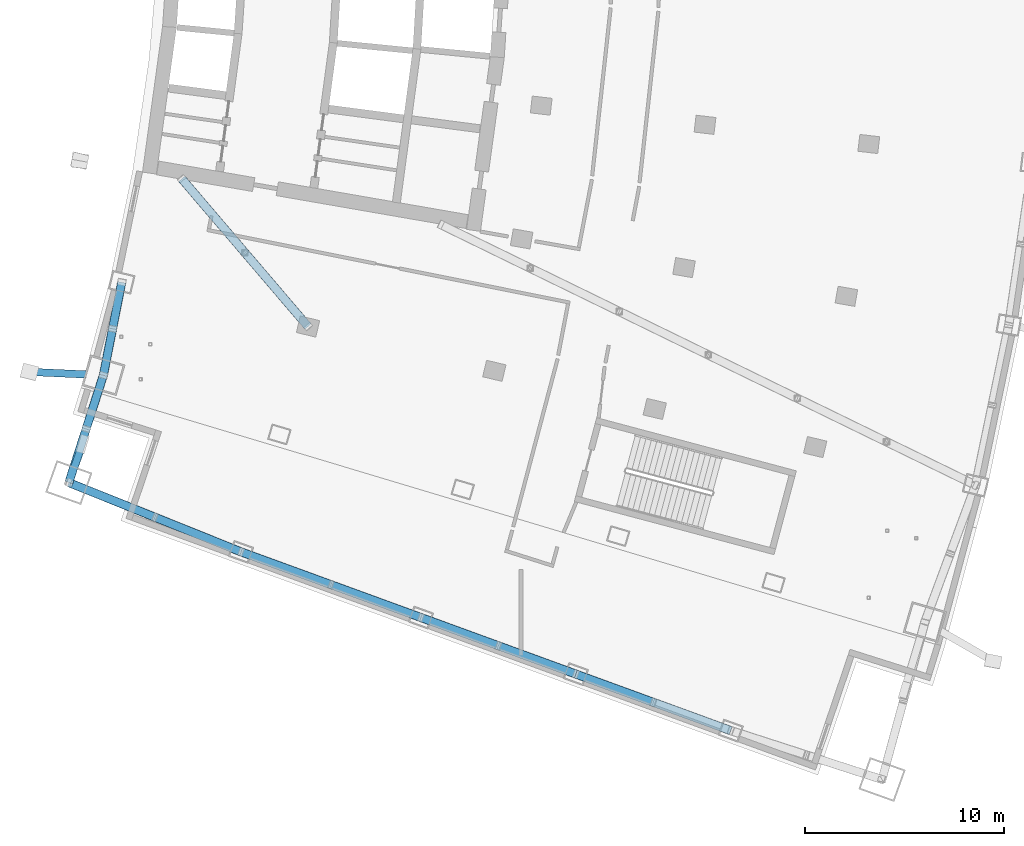
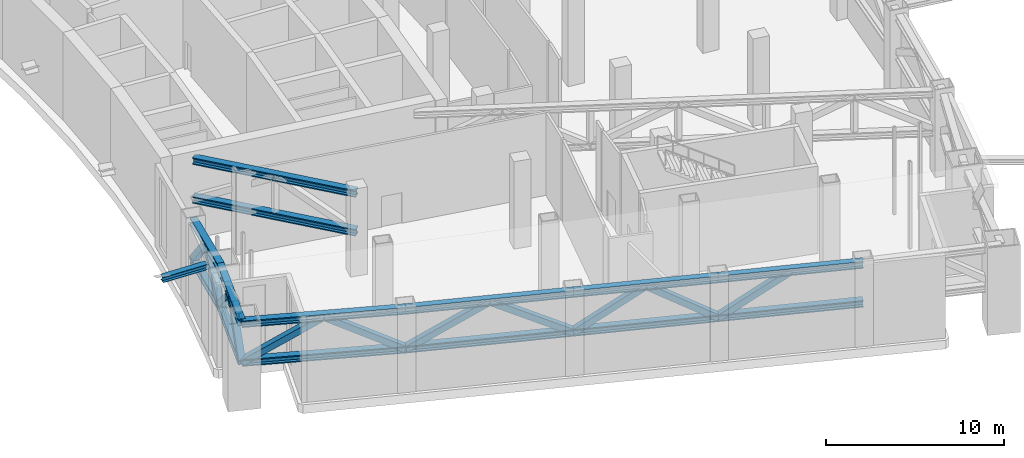
# One storey, part 9 of 26: 27 members.
"""IFC4 building model written with IfcOpenShell, lengths in metres."""

from ifc_helpers import new_model, si_unit, direction, frame, origin, origin_2d, place, context, subcontext, project, spatial, hollow_rectangle, i_section, extrude, material, material_profile, profile_set, type_object, element, save


model = new_model("IFC4")

# Units and contexts
model_context = context("Model", 3, precision=1e-05, world=origin(), true_north=direction((0.0, 1.0)))
body_context = subcontext(model_context, "Body", "Model", "MODEL_VIEW")
ifc_project = project(units=[si_unit("LENGTHUNIT", "METRE"), si_unit("AREAUNIT", "SQUARE_METRE"), si_unit("VOLUMEUNIT", "CUBIC_METRE"), si_unit("PLANEANGLEUNIT", "RADIAN"), si_unit("MASSUNIT", "GRAM", prefix="KILO")], contexts=[model_context])

# Site, building, storey
site_placement = place(None, origin())
site = spatial("IfcSite", under=ifc_project, at=site_placement, CompositionType="ELEMENT")
building_placement = place(site_placement, origin())
building = spatial("IfcBuilding", under=site, at=building_placement, Name="Alderwake Tower", CompositionType="ELEMENT")
storey_placement = place(building_placement, frame((0.0, 0.0, 132.800048828125)))
storey = spatial("IfcBuildingStorey", under=building, at=storey_placement, Name="L32", CompositionType="ELEMENT", Elevation=132.800048828125)

# Members
ifc_material_1 = material(Name="Steel ASTM A992 Grade 50", Category="steel")
ifc_material_profile_1 = material_profile(ifc_material_1, i_section(OverallWidth=0.42138671875, OverallDepth=0.464599609375, WebThickness=0.044921875, FlangeThickness=0.072265625, at=origin_2d()), Name="W14X398")
ifc_profile_set_1 = profile_set([ifc_material_profile_1], Name="Steel ASTM A992 Grade 50")
member_type_1 = type_object("IfcMemberType", Name="Belt truss chord W14X398", PredefinedType="CHORD", material=ifc_profile_set_1)
for number, where, z_axis, x_axis, name in (
    (1, (11.330810546875, 28.622802734375, 5.44775390625), (0.306491563168, 0.951873374828, 0.0), (-0.951873374828, 0.306491563168, 0.0), "Belt truss chord BT32R01.T"),
    (2, (11.330810546875, 28.622802734375, 2.7822265625), (0.306491563168, 0.951873374828, 0.0), (-0.951873374828, 0.306491563168, 0.0), "Belt truss chord BT32R01.B"),
):
    element("IfcMember", number, at=place(storey_placement, frame(where, z_axis=z_axis, x_axis=x_axis)), inside=storey, type_object=member_type_1, Name=name, PredefinedType="CHORD", context=body_context, shape_type="SweptSolid", body=[
        extrude(i_section(OverallWidth=0.42138671875, OverallDepth=0.464599609375, WebThickness=0.044921875, FlangeThickness=0.072265625, at=origin_2d()), origin(), (0.0, 0.0, 1.0), 5.651611328125),
    ])
for number, where, z_axis, x_axis, name in (
    (3, (13.06298828125, 34.00244140625, 5.44775390625), (0.193457327913, 0.981108690348, 0.0), (-0.981108690348, 0.193457327913, 0.0), "Belt truss chord BT32R02.T"),
    (4, (13.06298828125, 34.00244140625, 2.7822265625), (0.193457327913, 0.981108690348, 0.0), (-0.981108690348, 0.193457327913, 0.0), "Belt truss chord BT32R02.B"),
):
    element("IfcMember", number, at=place(storey_placement, frame(where, z_axis=z_axis, x_axis=x_axis)), inside=storey, type_object=member_type_1, Name=name, PredefinedType="CHORD", context=body_context, shape_type="SweptSolid", body=[
        extrude(i_section(OverallWidth=0.42138671875, OverallDepth=0.464599609375, WebThickness=0.044921875, FlangeThickness=0.072265625, at=origin_2d()), origin(), (0.0, 0.0, 1.0), 4.75146484375),
    ])
for number, where, z_axis, x_axis, name in (
    (5, (11.330810546875, 28.622802734375, 5.44775390625), (0.927716789108, -0.373284823168, 0.0), (0.373284823168, 0.927716789108, 0.0), "Belt truss chord BT32E010.T"),
    (6, (11.330810546875, 28.622802734375, 2.7822265625), (0.927716789108, -0.373284823168, 0.0), (0.373284823168, 0.927716789108, 0.0), "Belt truss chord BT32E010.B"),
):
    element("IfcMember", number, at=place(storey_placement, frame(where, z_axis=z_axis, x_axis=x_axis)), inside=storey, type_object=member_type_1, Name=name, PredefinedType="CHORD", context=body_context, shape_type="SweptSolid", body=[
        extrude(i_section(OverallWidth=0.42138671875, OverallDepth=0.464599609375, WebThickness=0.044921875, FlangeThickness=0.072265625, at=origin_2d()), origin(), (0.0, 0.0, 1.0), 9.3076171875),
    ])
for number, where, z_axis, x_axis, name in (
    (7, (19.965576171875, 25.1484375, 5.44775390625), (0.939376174096, -0.342888325175, 0.0), (0.342888325175, 0.939376174096, 0.0), "Belt truss chord BT32E011.T"),
    (8, (19.965576171875, 25.1484375, 2.7822265625), (0.939376174096, -0.342888325175, 0.0), (0.342888325175, 0.939376174096, 0.0), "Belt truss chord BT32E011.B"),
):
    element("IfcMember", number, at=place(storey_placement, frame(where, z_axis=z_axis, x_axis=x_axis)), inside=storey, type_object=member_type_1, Name=name, PredefinedType="CHORD", context=body_context, shape_type="SweptSolid", body=[
        extrude(i_section(OverallWidth=0.42138671875, OverallDepth=0.464599609375, WebThickness=0.044921875, FlangeThickness=0.072265625, at=origin_2d()), origin(), (0.0, 0.0, 1.0), 9.60009765625),
    ])
for number, where, z_axis, x_axis, name in (
    (9, (28.983642578125, 21.856689453125, 5.44775390625), (0.939371061086, -0.342902332441, 0.0), (0.342902332441, 0.939371061086, 0.0), "Belt truss chord BT32E012.T"),
    (10, (28.983642578125, 21.856689453125, 2.7822265625), (0.939371061086, -0.342902332441, 0.0), (0.342902332441, 0.939371061086, 0.0), "Belt truss chord BT32E012.B"),
    (11, (36.749267578125, 19.02197265625, 5.44775390625), (0.939371061086, -0.342902332441, 0.0), (0.342902332441, 0.939371061086, 0.0), "Belt truss chord BT32E013.T"),
    (12, (36.749267578125, 19.02197265625, 2.7822265625), (0.939371061086, -0.342902332441, 0.0), (0.342902332441, 0.939371061086, 0.0), "Belt truss chord BT32E013.B"),
):
    element("IfcMember", number, at=place(storey_placement, frame(where, z_axis=z_axis, x_axis=x_axis)), inside=storey, type_object=member_type_1, Name=name, PredefinedType="CHORD", context=body_context, shape_type="SweptSolid", body=[
        extrude(i_section(OverallWidth=0.42138671875, OverallDepth=0.464599609375, WebThickness=0.044921875, FlangeThickness=0.072265625, at=origin_2d()), origin(), (0.0, 0.0, 1.0), 8.266845703125),
    ])
ifc_material_2 = material(Name="Steel ASTM A500 Grade C", Category="steel")
ifc_material_profile_2 = material_profile(ifc_material_2, hollow_rectangle(XDim=0.406494140625, YDim=0.406494140625, WallThickness=0.014892578125, at=origin_2d()), Name="HSS16X16X5/8")
ifc_profile_set_2 = profile_set([ifc_material_profile_2], Name="Steel ASTM A500 Grade C")
member_type_2 = type_object("IfcMemberType", Name="Belt truss diagonal HSS16X16X5/8", PredefinedType="BRACE", material=ifc_profile_set_2)
member_1_placement = place(storey_placement, frame((11.330810546875, 28.622802734375, 2.7822265625), z_axis=(0.222988007575, 0.692406674028, 0.686184629848), x_axis=(-0.951856712334, 0.306543307194, 0.0)))
element("IfcMember", 13, at=member_1_placement, inside=storey, type_object=member_type_2, Name="Belt truss diagonal BT32R01.D1", PredefinedType="BRACE", context=body_context, shape_type="SweptSolid", body=[
    extrude(hollow_rectangle(XDim=0.406494140625, YDim=0.406494140625, WallThickness=0.014892578125, at=origin_2d()), origin(), (0.0, 0.0, 1.0), 3.884521484375),
])
member_2_placement = place(storey_placement, frame((13.06298828125, 34.00244140625, 2.7822265625), z_axis=(-0.222918581213, -0.692449091573, 0.686164383898), x_axis=(0.951890033581, -0.306439821121, 0.0)))
element("IfcMember", 14, at=member_2_placement, inside=storey, type_object=member_type_2, Name="Belt truss diagonal BT32R01.D2", PredefinedType="BRACE", context=body_context, shape_type="SweptSolid", body=[
    extrude(hollow_rectangle(XDim=0.406494140625, YDim=0.406494140625, WallThickness=0.014892578125, at=origin_2d()), origin(), (0.0, 0.0, 1.0), 3.884765625),
])
for number, where, z_axis, x_axis, name in (
    (15, (13.06298828125, 34.00244140625, 2.7822265625), (0.128751234735, 0.652781751467, 0.746524684458), (-0.981098936551, 0.193506787213, 0.0), "Belt truss diagonal BT32R02.D1"),
    (16, (13.982177734375, 38.6640625, 2.7822265625), (-0.128683991712, -0.652787496743, 0.746531254786), (0.981118441846, -0.193407867137, 0.0), "Belt truss diagonal BT32R02.D2"),
):
    element("IfcMember", number, at=place(storey_placement, frame(where, z_axis=z_axis, x_axis=x_axis)), inside=storey, type_object=member_type_2, Name=name, PredefinedType="BRACE", context=body_context, shape_type="SweptSolid", body=[
        extrude(hollow_rectangle(XDim=0.406494140625, YDim=0.406494140625, WallThickness=0.014892578125, at=origin_2d()), origin(), (0.0, 0.0, 1.0), 3.570556640625),
    ])
for number, where, z_axis, x_axis, name in (
    (17, (11.330810546875, 28.622802734375, 2.7822265625), (0.805013252818, -0.323935439213, 0.497010557242), (0.373307398251, 0.927707705266, 0.0), "Belt truss diagonal BT32E010.D1"),
    (18, (19.965576171875, 25.1484375, 2.7822265625), (-0.805025123156, 0.323894693014, 0.497017885921), (-0.373262247421, -0.927725872578, 0.0), "Belt truss diagonal BT32E010.D2"),
):
    element("IfcMember", number, at=place(storey_placement, frame(where, z_axis=z_axis, x_axis=x_axis)), inside=storey, type_object=member_type_2, Name=name, PredefinedType="BRACE", context=body_context, shape_type="SweptSolid", body=[
        extrude(hollow_rectangle(XDim=0.406494140625, YDim=0.406494140625, WallThickness=0.014892578125, at=origin_2d()), origin(), (0.0, 0.0, 1.0), 5.363037109375),
    ])
for number, where, z_axis, x_axis, name in (
    (19, (19.965576171875, 25.1484375, 2.7822265625), (0.821240967178, -0.29978919274, 0.485478849946), (0.342910766039, 0.939367982494, 0.0), "Belt truss diagonal BT32E011.D1"),
    (20, (28.983642578125, 21.856689453125, 2.7822265625), (-0.821251914056, 0.299748722327, 0.485485321223), (-0.342865883725, -0.939384365304, 0.0), "Belt truss diagonal BT32E011.D2"),
):
    element("IfcMember", number, at=place(storey_placement, frame(where, z_axis=z_axis, x_axis=x_axis)), inside=storey, type_object=member_type_2, Name=name, PredefinedType="BRACE", context=body_context, shape_type="SweptSolid", body=[
        extrude(hollow_rectangle(XDim=0.406494140625, YDim=0.406494140625, WallThickness=0.014892578125, at=origin_2d()), origin(), (0.0, 0.0, 1.0), 5.490478515625),
    ])
member_3_placement = place(storey_placement, frame((28.983642578125, 21.856689453125, 2.7822265625), z_axis=(0.789448527034, -0.288200336265, 0.541951648526), x_axis=(0.34292839209, 0.93936154802, 0.0)))
element("IfcMember", 21, at=member_3_placement, inside=storey, type_object=member_type_2, Name="Belt truss diagonal BT32E012.D1", PredefinedType="BRACE", context=body_context, shape_type="SweptSolid", body=[
    extrude(hollow_rectangle(XDim=0.406494140625, YDim=0.406494140625, WallThickness=0.014892578125, at=origin_2d()), origin(), (0.0, 0.0, 1.0), 4.91845703125),
])
member_4_placement = place(storey_placement, frame((36.749267578125, 19.02197265625, 2.7822265625), z_axis=(-0.789459819991, 0.28815481986, 0.541959401073), x_axis=(-0.342876271999, -0.939380573623, 0.0)))
element("IfcMember", 22, at=member_4_placement, inside=storey, type_object=member_type_2, Name="Belt truss diagonal BT32E012.D2", PredefinedType="BRACE", context=body_context, shape_type="SweptSolid", body=[
    extrude(hollow_rectangle(XDim=0.406494140625, YDim=0.406494140625, WallThickness=0.014892578125, at=origin_2d()), origin(), (0.0, 0.0, 1.0), 4.918212890625),
])
member_5_placement = place(storey_placement, frame((36.749267578125, 19.02197265625, 2.7822265625), z_axis=(0.789448527034, -0.288200336265, 0.541951648526), x_axis=(0.34292839209, 0.93936154802, 0.0)))
element("IfcMember", 23, at=member_5_placement, inside=storey, type_object=member_type_2, Name="Belt truss diagonal BT32E013.D1", PredefinedType="BRACE", context=body_context, shape_type="SweptSolid", body=[
    extrude(hollow_rectangle(XDim=0.406494140625, YDim=0.406494140625, WallThickness=0.014892578125, at=origin_2d()), origin(), (0.0, 0.0, 1.0), 4.91845703125),
])
ifc_material_3 = material(Name="Steel ASTM A992 Grade 50", Category="steel")
ifc_material_profile_3 = material_profile(ifc_material_3, i_section(OverallWidth=0.3740234375, OverallDepth=0.372314453125, WebThickness=0.016357421875, FlangeThickness=0.026123046875, at=origin_2d()), Name="W14X132")
ifc_profile_set_3 = profile_set([ifc_material_profile_3], Name="Steel ASTM A992 Grade 50")
member_type_3 = type_object("IfcMemberType", Name="Brace node stub W14X132", PredefinedType="MEMBER", material=ifc_profile_set_3)
member_6_placement = place(storey_placement, frame((12.188232421875, 34.04248046875, 5.793701171875), z_axis=(-0.998959275169, 0.045611035436, 0.0), x_axis=(-0.045611035436, -0.998959275169, 0.0)))
element("IfcMember", 24, at=member_6_placement, inside=storey, type_object=member_type_3, Name="Brace node stub BS.RR02-C0.1388", PredefinedType="MEMBER", context=body_context, shape_type="SweptSolid", body=[
    extrude(i_section(OverallWidth=0.3740234375, OverallDepth=0.372314453125, WebThickness=0.016357421875, FlangeThickness=0.026123046875, at=origin_2d()), origin(), (0.0, 0.0, 1.0), 2.83154296875),
])
member_7_placement = place(storey_placement, frame((11.60400390625, 29.37451171875, 5.34375), z_axis=(0.341288660976, 0.939958536261, 0.0), x_axis=(-0.939958536261, 0.341288660976, 0.0)))
element("IfcMember", 25, at=member_7_placement, inside=storey, type_object=member_type_3, Name="Brace node stub BS.SR01-C0.1388", PredefinedType="MEMBER", context=body_context, shape_type="SweptSolid", body=[
    extrude(i_section(OverallWidth=0.3740234375, OverallDepth=0.372314453125, WebThickness=0.016357421875, FlangeThickness=0.026123046875, at=origin_2d()), origin(), (0.0, 0.0, 1.0), 1.251220703125),
])
ifc_material_4 = material(Name="Steel ASTM A992 Grade 50", Category="steel")
ifc_material_profile_4 = material_profile(ifc_material_4, i_section(OverallWidth=0.42138671875, OverallDepth=0.464599609375, WebThickness=0.044921875, FlangeThickness=0.072265625, at=origin_2d()), Name="W14X398")
ifc_profile_set_4 = profile_set([ifc_material_profile_4], Name="Steel ASTM A992 Grade 50")
member_type_4 = type_object("IfcMemberType", Name="Outrigger truss chord W14X398", PredefinedType="CHORD", material=ifc_profile_set_4)
for number, where, z_axis, x_axis, name in (
    (26, (16.99560546875, 43.850341796875, 5.44775390625), (0.649500341589, -0.760361299828, 0.0), (0.760361299828, 0.649500341589, 0.0), "Outrigger truss chord OR32SR.T"),
    (27, (16.99560546875, 43.850341796875, 2.7822265625), (0.649500341589, -0.760361299828, 0.0), (0.760361299828, 0.649500341589, 0.0), "Outrigger truss chord OR32SR.B"),
):
    element("IfcMember", number, at=place(storey_placement, frame(where, z_axis=z_axis, x_axis=x_axis)), inside=storey, type_object=member_type_4, Name=name, PredefinedType="CHORD", context=body_context, shape_type="SweptSolid", body=[
        extrude(i_section(OverallWidth=0.42138671875, OverallDepth=0.464599609375, WebThickness=0.044921875, FlangeThickness=0.072265625, at=origin_2d()), origin(), (0.0, 0.0, 1.0), 9.740478515625),
    ])

save(model, "model.ifc")
